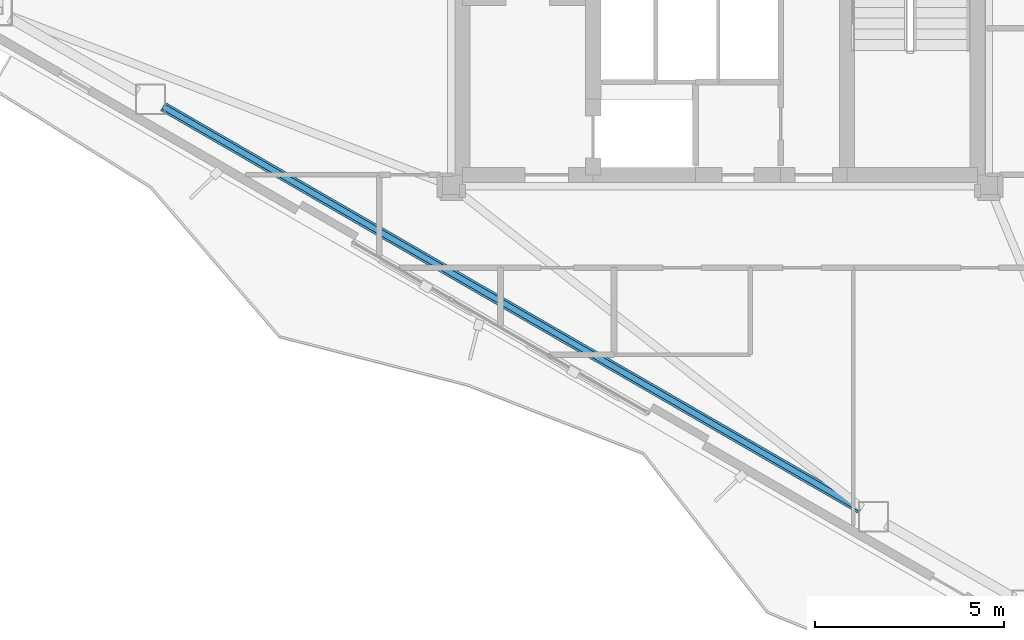
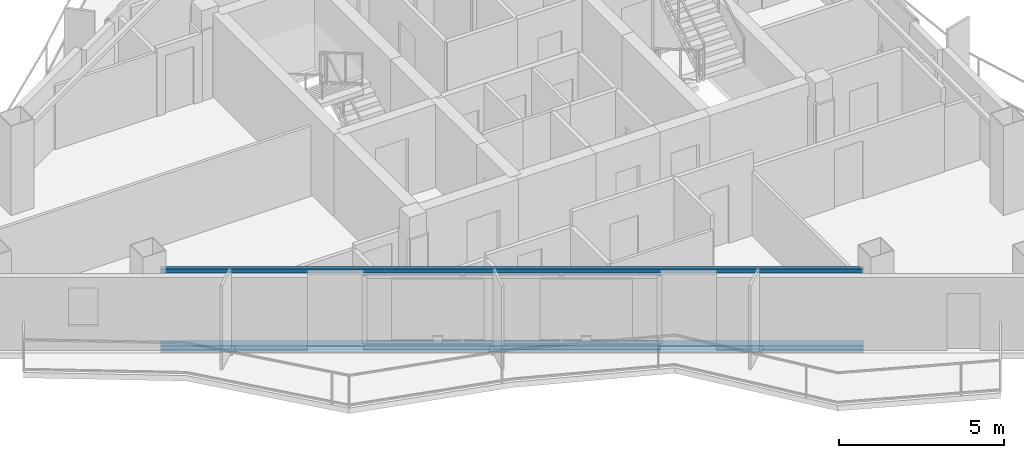
# One storey, part 3 of 21: 2 beams.
"""IFC4 building model written with IfcOpenShell, lengths in metres."""

from ifc_helpers import new_model, si_unit, direction, frame, origin, origin_2d, place, context, subcontext, project, spatial, hollow_rectangle, i_section, extrude, material, material_profile, profile_set, type_object, element, save


model = new_model("IFC4")

# Units and contexts
model_context = context("Model", 3, precision=1e-05, world=origin(), true_north=direction((0.0, 1.0)))
body_context = subcontext(model_context, "Body", "Model", "MODEL_VIEW")
ifc_project = project(units=[si_unit("LENGTHUNIT", "METRE"), si_unit("AREAUNIT", "SQUARE_METRE"), si_unit("VOLUMEUNIT", "CUBIC_METRE"), si_unit("PLANEANGLEUNIT", "RADIAN"), si_unit("MASSUNIT", "GRAM", prefix="KILO")], contexts=[model_context])

# Site, building, storey
site_placement = place(None, origin())
site = spatial("IfcSite", under=ifc_project, at=site_placement, CompositionType="ELEMENT")
building_placement = place(site_placement, origin())
building = spatial("IfcBuilding", under=site, at=building_placement, Name="Mersakhor Tower and Convention Hall", CompositionType="ELEMENT")
storey_placement = place(building_placement, frame((0.0, 0.0, 211.800048828125)))
storey = spatial("IfcBuildingStorey", under=building, at=storey_placement, Name="L59", CompositionType="ELEMENT", Elevation=211.800048828125)

# Beams
ifc_material_1 = material(Name="Steel S355", Category="steel")
ifc_material_profile_1 = material_profile(ifc_material_1, hollow_rectangle(XDim=0.14990234375, YDim=0.14990234375, WallThickness=0.010009765625, at=origin_2d()), Name="SHS 150x150x10")
ifc_profile_set_1 = profile_set([ifc_material_profile_1], Name="Steel S355")
beam_type_1 = type_object("IfcBeamType", Name="BM-GRT-SHS150", PredefinedType="USERDEFINED", material=ifc_profile_set_1)
beam_1_placement = place(storey_placement, frame((32.72265625, 11.912353515625, 2.47998046875), z_axis=(-0.866024569776, 0.500001444543, 0.0), x_axis=(-0.500001444543, -0.866024569776, 0.0)))
element("IfcBeam", 1, at=beam_1_placement, inside=storey, type_object=beam_type_1, Name="L59 Facade Support Girt GRT-F3", ObjectType="GIRT", PredefinedType="USERDEFINED", context=body_context, shape_type="SweptSolid", body=[
    extrude(hollow_rectangle(XDim=0.14990234375, YDim=0.14990234375, WallThickness=0.010009765625, at=origin_2d()), origin(), (0.0, 0.0, 1.0), 21.28564453125),
])
ifc_material_2 = material(Name="Steel S355", Category="steel")
ifc_material_profile_2 = material_profile(ifc_material_2, i_section(OverallWidth=0.25634765625, OverallDepth=0.26025390625, WebThickness=0.01025390625, FlangeThickness=0.017333984375, at=origin_2d()), Name="UC 254x254x89")
ifc_profile_set_2 = profile_set([ifc_material_profile_2], Name="Steel S355")
beam_type_2 = type_object("IfcBeamType", Name="BM-SPD-UC254", PredefinedType="SPANDREL", material=ifc_profile_set_2)
beam_2_placement = place(storey_placement, frame((32.72265625, 11.912353515625, -0.360107421875), z_axis=(-0.866024569776, 0.500001444543, 0.0), x_axis=(-0.500001444543, -0.866024569776, 0.0)))
element("IfcBeam", 2, at=beam_2_placement, inside=storey, type_object=beam_type_2, Name="L59 Perimeter Spandrel Beam SPB-10", PredefinedType="SPANDREL", context=body_context, shape_type="SweptSolid", body=[
    extrude(i_section(OverallWidth=0.25634765625, OverallDepth=0.26025390625, WebThickness=0.01025390625, FlangeThickness=0.017333984375, at=origin_2d()), origin(), (0.0, 0.0, 1.0), 21.28564453125),
])

save(model, "model.ifc")
